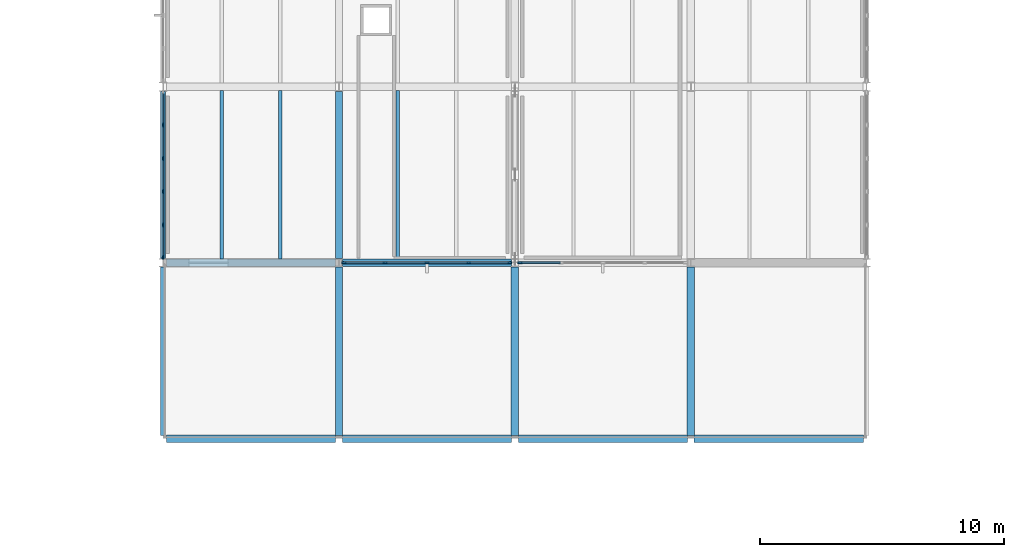
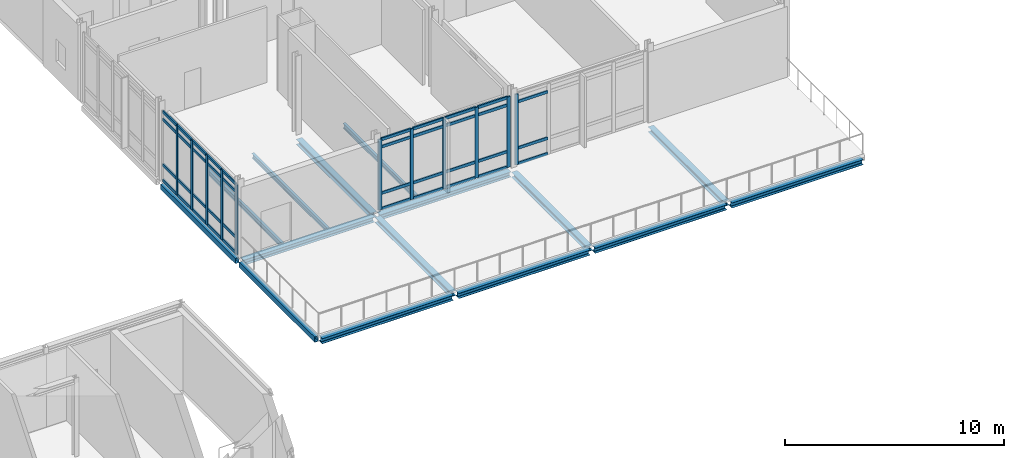
# One storey, part 19 of 53: 50 members, 15 beams, 3 elements without a shape of their own.
"""IFC4 building model written with IfcOpenShell, lengths in metres."""

from ifc_helpers import new_model, si_unit, direction, frame, origin, origin_2d, place, context, subcontext, project, spatial, rectangle, hollow_rectangle, i_section, extrude, material, layer, layer_set, material_profile, profile_set, type_object, element, aggregate, save


model = new_model("IFC4")

# Units and contexts
model_context = context("Model", 3, precision=1e-05, world=origin(), true_north=direction((0.0, 1.0)))
body_context = subcontext(model_context, "Body", "Model", "MODEL_VIEW")
ifc_project = project(units=[si_unit("LENGTHUNIT", "METRE"), si_unit("AREAUNIT", "SQUARE_METRE"), si_unit("VOLUMEUNIT", "CUBIC_METRE"), si_unit("PLANEANGLEUNIT", "RADIAN"), si_unit("MASSUNIT", "GRAM", prefix="KILO")], contexts=[model_context])

# Site, building, storey
site_placement = place(None, origin())
site = spatial("IfcSite", under=ifc_project, at=site_placement, CompositionType="ELEMENT")
building_placement = place(site_placement, origin())
building = spatial("IfcBuilding", under=site, at=building_placement, Name="Zarrinpeak Specialist Clinic", CompositionType="ELEMENT")
storey_placement = place(building_placement, frame((0.0, 0.0, 14.0)))
storey = spatial("IfcBuildingStorey", under=building, at=storey_placement, Name="L03", CompositionType="ELEMENT", Elevation=14.0)

# Beams
ifc_material_1 = material(Name="Steel S355", Category="steel")
ifc_material_profile_1 = material_profile(ifc_material_1, i_section(OverallWidth=0.300048828125, OverallDepth=0.2900390625, WebThickness=0.008544921875, FlangeThickness=0.013916015625, FilletRadius=0.027099609375, at=origin_2d()), Name="HEA 300")
ifc_profile_set_1 = profile_set([ifc_material_profile_1], Name="Steel S355")
beam_type_1 = type_object("IfcBeamType", Name="BM-HEA300", PredefinedType="BEAM", material=ifc_profile_set_1)
for number, where, z_axis, x_axis, name in (
    (1, (36.137939453125, 82.0, -0.340087890625), (1.0, 0.0, 0.0), (0.0, 1.0, 0.0), "L03 Primary Floor Girder BM-L03-X1571"),
    (2, (43.337890625, 82.0, -0.340087890625), (1.0, 0.0, 0.0), (0.0, 1.0, 0.0), "L03 Primary Floor Girder BM-L03-X1572"),
):
    element("IfcBeam", number, at=place(storey_placement, frame(where, z_axis=z_axis, x_axis=x_axis)), inside=storey, type_object=beam_type_1, Name=name, PredefinedType="BEAM", context=body_context, shape_type="SweptSolid", body=[
        extrude(i_section(OverallWidth=0.300048828125, OverallDepth=0.2900390625, WebThickness=0.008544921875, FlangeThickness=0.013916015625, FilletRadius=0.027099609375, at=origin_2d()), origin(), (0.0, 0.0, 1.0), 6.924072265625),
    ])
beam_1_placement = place(storey_placement, frame((50.5380859375, 82.0, -0.340087890625), z_axis=(1.0, 0.0, 0.0), x_axis=(0.0, 1.0, 0.0)))
element("IfcBeam", 3, at=beam_1_placement, inside=storey, type_object=beam_type_1, Name="L03 Primary Floor Girder BM-L03-X1573", PredefinedType="BEAM", context=body_context, shape_type="SweptSolid", body=[
    extrude(i_section(OverallWidth=0.300048828125, OverallDepth=0.2900390625, WebThickness=0.008544921875, FlangeThickness=0.013916015625, FilletRadius=0.027099609375, at=origin_2d()), origin(), (0.0, 0.0, 1.0), 6.923828125),
])
beam_2_placement = place(storey_placement, frame((57.738037109375, 82.0, -0.340087890625), z_axis=(1.0, 0.0, 0.0), x_axis=(0.0, 1.0, 0.0)))
element("IfcBeam", 4, at=beam_2_placement, inside=storey, type_object=beam_type_1, Name="L03 Primary Floor Girder BM-L03-X1574", PredefinedType="BEAM", context=body_context, shape_type="SweptSolid", body=[
    extrude(i_section(OverallWidth=0.300048828125, OverallDepth=0.2900390625, WebThickness=0.008544921875, FlangeThickness=0.013916015625, FilletRadius=0.027099609375, at=origin_2d()), origin(), (0.0, 0.0, 1.0), 6.924072265625),
])
for number, where, z_axis, x_axis, name in (
    (5, (36.14794921875, 89.199951171875, -0.344970703125), (1.0, 0.0, 0.0), (0.0, 1.0, 0.0), "L03 Primary Floor Girder BM-L03-X1575"),
    (6, (43.347900390625, 89.199951171875, -0.344970703125), (1.0, 0.0, 0.0), (0.0, 1.0, 0.0), "L03 Primary Floor Girder BM-L03-X1576"),
):
    element("IfcBeam", number, at=place(storey_placement, frame(where, z_axis=z_axis, x_axis=x_axis)), inside=storey, type_object=beam_type_1, Name=name, PredefinedType="BEAM", context=body_context, shape_type="SweptSolid", body=[
        extrude(i_section(OverallWidth=0.300048828125, OverallDepth=0.2900390625, WebThickness=0.008544921875, FlangeThickness=0.013916015625, FilletRadius=0.027099609375, at=origin_2d()), origin(), (0.0, 0.0, 1.0), 6.904052734375),
    ])
beam_3_placement = place(storey_placement, frame((43.199951171875, 82.137939453125, -0.340087890625), z_axis=(0.0, 1.0, 0.0), x_axis=(-1.0, 0.0, 0.0)))
element("IfcBeam", 7, at=beam_3_placement, inside=storey, type_object=beam_type_1, Name="L03 Primary Beam BM-L03-Y1655", PredefinedType="BEAM", context=body_context, shape_type="SweptSolid", body=[
    extrude(i_section(OverallWidth=0.300048828125, OverallDepth=0.2900390625, WebThickness=0.008544921875, FlangeThickness=0.013916015625, FilletRadius=0.027099609375, at=origin_2d()), origin(), (0.0, 0.0, 1.0), 6.884033203125),
])
beam_4_placement = place(storey_placement, frame((43.199951171875, 89.3779296875, -0.344970703125), z_axis=(0.0, 1.0, 0.0), x_axis=(-1.0, 0.0, 0.0)))
element("IfcBeam", 8, at=beam_4_placement, inside=storey, type_object=beam_type_1, Name="L03 Primary Beam BM-L03-Y1656", PredefinedType="BEAM", context=body_context, shape_type="SweptSolid", body=[
    extrude(i_section(OverallWidth=0.300048828125, OverallDepth=0.2900390625, WebThickness=0.008544921875, FlangeThickness=0.013916015625, FilletRadius=0.027099609375, at=origin_2d()), origin(), (0.0, 0.0, 1.0), 6.823974609375),
])
for number, where, z_axis, x_axis, name in (
    (9, (50.39990234375, 82.137939453125, -0.340087890625), (0.0, 1.0, 0.0), (-1.0, 0.0, 0.0), "L03 Primary Beam BM-L03-Y1664"),
    (10, (57.60009765625, 82.137939453125, -0.340087890625), (0.0, 1.0, 0.0), (-1.0, 0.0, 0.0), "L03 Primary Beam BM-L03-Y1671"),
):
    element("IfcBeam", number, at=place(storey_placement, frame(where, z_axis=z_axis, x_axis=x_axis)), inside=storey, type_object=beam_type_1, Name=name, PredefinedType="BEAM", context=body_context, shape_type="SweptSolid", body=[
        extrude(i_section(OverallWidth=0.300048828125, OverallDepth=0.2900390625, WebThickness=0.008544921875, FlangeThickness=0.013916015625, FilletRadius=0.027099609375, at=origin_2d()), origin(), (0.0, 0.0, 1.0), 6.884033203125),
    ])
ifc_material_profile_2 = material_profile(ifc_material_1, i_section(OverallWidth=0.135009765625, OverallDepth=0.27001953125, WebThickness=0.006591796875, FlangeThickness=0.01025390625, FilletRadius=0.014892578125, at=origin_2d()), Name="IPE 270")
ifc_profile_set_2 = profile_set([ifc_material_profile_2], Name="Steel S355")
beam_type_2 = type_object("IfcBeamType", Name="BM-JST270", PredefinedType="JOIST", material=ifc_profile_set_2)
for number, where, z_axis, x_axis, name in (
    (11, (38.39990234375, 89.347900390625, -0.3349609375), (0.0, 1.0, 0.0), (-1.0, 0.0, 0.0), "L03 Composite Floor Joist JST-L03-1784"),
    (12, (40.800048828125, 89.347900390625, -0.3349609375), (0.0, 1.0, 0.0), (-1.0, 0.0, 0.0), "L03 Composite Floor Joist JST-L03-1785"),
    (13, (45.60009765625, 89.347900390625, -0.3349609375), (0.0, 1.0, 0.0), (-1.0, 0.0, 0.0), "L03 Composite Floor Joist JST-L03-1788"),
):
    element("IfcBeam", number, at=place(storey_placement, frame(where, z_axis=z_axis, x_axis=x_axis)), inside=storey, type_object=beam_type_2, Name=name, PredefinedType="JOIST", context=body_context, shape_type="SweptSolid", body=[
        extrude(i_section(OverallWidth=0.135009765625, OverallDepth=0.27001953125, WebThickness=0.006591796875, FlangeThickness=0.01025390625, FilletRadius=0.014892578125, at=origin_2d()), origin(), (0.0, 0.0, 1.0), 6.904052734375),
    ])
ifc_material_profile_3 = material_profile(ifc_material_1, hollow_rectangle(XDim=0.199951171875, YDim=0.300048828125, WallThickness=0.012451171875, at=origin_2d()), Name="RHS 300x200x12.5")
ifc_profile_set_3 = profile_set([ifc_material_profile_3], Name="Steel S355")
beam_type_3 = type_object("IfcBeamType", Name="BM-SP300", PredefinedType="SPANDREL", material=ifc_profile_set_3)
beam_5_placement = place(storey_placement, frame((36.0, 82.137939453125, -0.344970703125), z_axis=(0.0, 1.0, 0.0), x_axis=(-1.0, 0.0, 0.0)))
element("IfcBeam", 14, at=beam_5_placement, inside=storey, type_object=beam_type_3, Name="L03 Perimeter Spandrel Beam BM-L03-Y1649", PredefinedType="SPANDREL", context=body_context, shape_type="SweptSolid", body=[
    extrude(hollow_rectangle(XDim=0.199951171875, YDim=0.300048828125, WallThickness=0.012451171875, at=origin_2d()), origin(), (0.0, 0.0, 1.0), 6.884033203125),
])
beam_6_placement = place(storey_placement, frame((36.0, 89.3779296875, -0.35009765625), z_axis=(0.0, 1.0, 0.0), x_axis=(-1.0, 0.0, 0.0)))
element("IfcBeam", 15, at=beam_6_placement, inside=storey, type_object=beam_type_3, Name="L03 Perimeter Spandrel Beam BM-L03-Y1650", PredefinedType="SPANDREL", context=body_context, shape_type="SweptSolid", body=[
    extrude(hollow_rectangle(XDim=0.199951171875, YDim=0.300048828125, WallThickness=0.012451171875, at=origin_2d()), origin(), (0.0, 0.0, 1.0), 6.823974609375),
])

# Curtain wall, members
ifc_material_2 = material(Name="Anodised Aluminium Alloy 6063-T6", Category="aluminium")
ifc_layer_1 = layer(ifc_material_2, 0.179931640625)
ifc_layer_set_1 = layer_set([ifc_layer_1], Name="Anodised Aluminium Alloy 6063-T6")
curtain_wall_type_1 = type_object("IfcCurtainWallType", Name="CW-COURT", PredefinedType="NOTDEFINED", material=ifc_layer_set_1)
curtain_wall_1_placement = place(storey_placement, origin())
curtain_wall_1 = element("IfcCurtainWall", 16, at=curtain_wall_1_placement, inside=storey, type_object=curtain_wall_type_1, Name="L03 V6 Unitised Curtain Wall CW-L03-V6-147", PredefinedType="NOTDEFINED")
ifc_material_profile_4 = material_profile(ifc_material_2, rectangle(XDim=0.074951171875, YDim=0.179931640625, at=origin_2d()), Name="ALU 75x180")
ifc_profile_set_4 = profile_set([ifc_material_profile_4], Name="Anodised Aluminium Alloy 6063-T6")
member_type_1 = type_object("IfcMemberType", Name="CWM-75", PredefinedType="MULLION", material=ifc_profile_set_4)
member_1_placement = place(storey_placement, frame((43.41259765625, 89.199951171875, 0.0), z_axis=(0.0, 0.0, 1.0), x_axis=(0.0, 1.0, 0.0)))
member_1 = element("IfcMember", 17, at=member_1_placement, type_object=member_type_1, Name="CW-01 mullion 1", PredefinedType="MULLION", context=body_context, shape_type="SweptSolid", body=[
    extrude(rectangle(XDim=0.074951171875, YDim=0.179931640625, at=origin_2d()), origin(), (0.0, 0.0, 1.0), 3.93505859375),
])
member_2_placement = place(storey_placement, frame((45.08740234375, 89.199951171875, 0.0), z_axis=(0.0, 0.0, 1.0), x_axis=(0.0, 1.0, 0.0)))
member_2 = element("IfcMember", 18, at=member_2_placement, type_object=member_type_1, Name="CW-01 mullion 2", PredefinedType="MULLION", context=body_context, shape_type="SweptSolid", body=[
    extrude(rectangle(XDim=0.074951171875, YDim=0.179931640625, at=origin_2d()), origin(), (0.0, 0.0, 1.0), 3.93505859375),
])
member_3_placement = place(storey_placement, frame((46.800048828125, 89.199951171875, 0.0), z_axis=(0.0, 0.0, 1.0), x_axis=(0.0, 1.0, 0.0)))
member_3 = element("IfcMember", 19, at=member_3_placement, type_object=member_type_1, Name="CW-01 mullion 3", PredefinedType="MULLION", context=body_context, shape_type="SweptSolid", body=[
    extrude(rectangle(XDim=0.074951171875, YDim=0.179931640625, at=origin_2d()), origin(), (0.0, 0.0, 1.0), 3.93505859375),
])
member_4_placement = place(storey_placement, frame((48.512451171875, 89.199951171875, 0.0), z_axis=(0.0, 0.0, 1.0), x_axis=(0.0, 1.0, 0.0)))
member_4 = element("IfcMember", 20, at=member_4_placement, type_object=member_type_1, Name="CW-01 mullion 4", PredefinedType="MULLION", context=body_context, shape_type="SweptSolid", body=[
    extrude(rectangle(XDim=0.074951171875, YDim=0.179931640625, at=origin_2d()), origin(), (0.0, 0.0, 1.0), 3.93505859375),
])
member_5_placement = place(storey_placement, frame((50.1875, 89.199951171875, 0.0), z_axis=(0.0, 0.0, 1.0), x_axis=(0.0, 1.0, 0.0)))
member_5 = element("IfcMember", 21, at=member_5_placement, type_object=member_type_1, Name="CW-01 mullion 5", PredefinedType="MULLION", context=body_context, shape_type="SweptSolid", body=[
    extrude(rectangle(XDim=0.074951171875, YDim=0.179931640625, at=origin_2d()), origin(), (0.0, 0.0, 1.0), 3.93505859375),
])

# Curtain wall, member
curtain_wall_2_placement = place(storey_placement, origin())
curtain_wall_2 = element("IfcCurtainWall", 22, at=curtain_wall_2_placement, inside=storey, type_object=curtain_wall_type_1, Name="L03 V6 Unitised Curtain Wall CW-L03-V6-148", PredefinedType="NOTDEFINED")
member_6_placement = place(storey_placement, frame((50.612548828125, 89.199951171875, 0.0), z_axis=(0.0, 0.0, 1.0), x_axis=(0.0, 1.0, 0.0)))
member_6 = element("IfcMember", 23, at=member_6_placement, type_object=member_type_1, Name="CW-01 mullion 1", PredefinedType="MULLION", context=body_context, shape_type="SweptSolid", body=[
    extrude(rectangle(XDim=0.074951171875, YDim=0.179931640625, at=origin_2d()), origin(), (0.0, 0.0, 1.0), 3.93505859375),
])

# Curtain wall, members
ifc_layer_2 = layer(ifc_material_2, 0.1650390625)
ifc_layer_set_2 = layer_set([ifc_layer_2], Name="Anodised Aluminium Alloy 6063-T6")
curtain_wall_type_2 = type_object("IfcCurtainWallType", Name="CW-CLINIC", PredefinedType="NOTDEFINED", material=ifc_layer_set_2)
curtain_wall_3_placement = place(storey_placement, origin())
curtain_wall_3 = element("IfcCurtainWall", 24, at=curtain_wall_3_placement, inside=storey, type_object=curtain_wall_type_2, Name="L03 V6 Unitised Curtain Wall CW-L03-V6-149", PredefinedType="NOTDEFINED")
member_7_placement = place(storey_placement, frame((36.0, 94.8330078125, 0.0), z_axis=(0.0, 0.0, 1.0), x_axis=(1.0, 0.0, 0.0)))
member_7 = element("IfcMember", 25, at=member_7_placement, type_object=member_type_1, Name="CW-03 mullion 2", PredefinedType="MULLION", context=body_context, shape_type="SweptSolid", body=[
    extrude(rectangle(XDim=0.074951171875, YDim=0.179931640625, at=origin_2d()), origin(), (0.0, 0.0, 1.0), 3.885009765625),
])
member_8_placement = place(storey_placement, frame((36.0, 93.470947265625, 0.0), z_axis=(0.0, 0.0, 1.0), x_axis=(1.0, 0.0, 0.0)))
member_8 = element("IfcMember", 26, at=member_8_placement, type_object=member_type_1, Name="CW-03 mullion 3", PredefinedType="MULLION", context=body_context, shape_type="SweptSolid", body=[
    extrude(rectangle(XDim=0.074951171875, YDim=0.179931640625, at=origin_2d()), origin(), (0.0, 0.0, 1.0), 3.885009765625),
])
member_9_placement = place(storey_placement, frame((36.0, 92.10888671875, 0.0), z_axis=(0.0, 0.0, 1.0), x_axis=(1.0, 0.0, 0.0)))
member_9 = element("IfcMember", 27, at=member_9_placement, type_object=member_type_1, Name="CW-03 mullion 4", PredefinedType="MULLION", context=body_context, shape_type="SweptSolid", body=[
    extrude(rectangle(XDim=0.074951171875, YDim=0.179931640625, at=origin_2d()), origin(), (0.0, 0.0, 1.0), 3.885009765625),
])
member_10_placement = place(storey_placement, frame((36.0, 90.7470703125, 0.0), z_axis=(0.0, 0.0, 1.0), x_axis=(1.0, 0.0, 0.0)))
member_10 = element("IfcMember", 28, at=member_10_placement, type_object=member_type_1, Name="CW-03 mullion 5", PredefinedType="MULLION", context=body_context, shape_type="SweptSolid", body=[
    extrude(rectangle(XDim=0.074951171875, YDim=0.179931640625, at=origin_2d()), origin(), (0.0, 0.0, 1.0), 3.885009765625),
])
member_11_placement = place(storey_placement, frame((36.0, 89.422607421875, 0.0), z_axis=(0.0, 0.0, 1.0), x_axis=(1.0, 0.0, 0.0)))
member_11 = element("IfcMember", 29, at=member_11_placement, type_object=member_type_1, Name="CW-03 mullion 6", PredefinedType="MULLION", context=body_context, shape_type="SweptSolid", body=[
    extrude(rectangle(XDim=0.074951171875, YDim=0.179931640625, at=origin_2d()), origin(), (0.0, 0.0, 1.0), 3.885009765625),
])

# Member
ifc_material_profile_5 = material_profile(ifc_material_2, rectangle(XDim=0.074951171875, YDim=0.159912109375, at=origin_2d()), Name="ALU 75x160")
ifc_profile_set_5 = profile_set([ifc_material_profile_5], Name="Anodised Aluminium Alloy 6063-T6")
member_type_2 = type_object("IfcMemberType", Name="CWT-75", PredefinedType="USERDEFINED", material=ifc_profile_set_5)
member_12_placement = place(storey_placement, frame((43.449951171875, 89.199951171875, 0.03759765625), z_axis=(1.0, 0.0, 0.0), x_axis=(0.0, 1.0, 0.0)))
member_12 = element("IfcMember", 30, at=member_12_placement, type_object=member_type_2, Name="CW-01 transom 1.1", ObjectType="TRANSOM", PredefinedType="USERDEFINED", context=body_context, shape_type="SweptSolid", body=[
    extrude(rectangle(XDim=0.074951171875, YDim=0.159912109375, at=origin_2d()), origin(), (0.0, 0.0, 1.0), 1.60009765625),
])

member_13_placement = place(storey_placement, frame((43.449951171875, 89.199951171875, 0.89990234375), z_axis=(1.0, 0.0, 0.0), x_axis=(0.0, 1.0, 0.0)))
member_13 = element("IfcMember", 31, at=member_13_placement, type_object=member_type_2, Name="CW-01 transom 1.2", ObjectType="TRANSOM", PredefinedType="USERDEFINED", context=body_context, shape_type="SweptSolid", body=[
    extrude(rectangle(XDim=0.074951171875, YDim=0.159912109375, at=origin_2d()), origin(), (0.0, 0.0, 1.0), 1.60009765625),
])

member_14_placement = place(storey_placement, frame((43.449951171875, 89.199951171875, 3.485107421875), z_axis=(1.0, 0.0, 0.0), x_axis=(0.0, 1.0, 0.0)))
member_14 = element("IfcMember", 32, at=member_14_placement, type_object=member_type_2, Name="CW-01 transom 1.3", ObjectType="TRANSOM", PredefinedType="USERDEFINED", context=body_context, shape_type="SweptSolid", body=[
    extrude(rectangle(XDim=0.074951171875, YDim=0.159912109375, at=origin_2d()), origin(), (0.0, 0.0, 1.0), 1.60009765625),
])

member_15_placement = place(storey_placement, frame((43.449951171875, 89.199951171875, 3.8974609375), z_axis=(1.0, 0.0, 0.0), x_axis=(0.0, 1.0, 0.0)))
member_15 = element("IfcMember", 33, at=member_15_placement, type_object=member_type_2, Name="CW-01 transom 1.4", ObjectType="TRANSOM", PredefinedType="USERDEFINED", context=body_context, shape_type="SweptSolid", body=[
    extrude(rectangle(XDim=0.074951171875, YDim=0.159912109375, at=origin_2d()), origin(), (0.0, 0.0, 1.0), 1.60009765625),
])

member_16_placement = place(storey_placement, frame((45.125, 89.199951171875, 0.03759765625), z_axis=(1.0, 0.0, 0.0), x_axis=(0.0, 1.0, 0.0)))
member_16 = element("IfcMember", 34, at=member_16_placement, type_object=member_type_2, Name="CW-01 transom 2.1", ObjectType="TRANSOM", PredefinedType="USERDEFINED", context=body_context, shape_type="SweptSolid", body=[
    extrude(rectangle(XDim=0.074951171875, YDim=0.159912109375, at=origin_2d()), origin(), (0.0, 0.0, 1.0), 1.637451171875),
])

member_17_placement = place(storey_placement, frame((45.125, 89.199951171875, 0.89990234375), z_axis=(1.0, 0.0, 0.0), x_axis=(0.0, 1.0, 0.0)))
member_17 = element("IfcMember", 35, at=member_17_placement, type_object=member_type_2, Name="CW-01 transom 2.2", ObjectType="TRANSOM", PredefinedType="USERDEFINED", context=body_context, shape_type="SweptSolid", body=[
    extrude(rectangle(XDim=0.074951171875, YDim=0.159912109375, at=origin_2d()), origin(), (0.0, 0.0, 1.0), 1.637451171875),
])

member_18_placement = place(storey_placement, frame((45.125, 89.199951171875, 3.485107421875), z_axis=(1.0, 0.0, 0.0), x_axis=(0.0, 1.0, 0.0)))
member_18 = element("IfcMember", 36, at=member_18_placement, type_object=member_type_2, Name="CW-01 transom 2.3", ObjectType="TRANSOM", PredefinedType="USERDEFINED", context=body_context, shape_type="SweptSolid", body=[
    extrude(rectangle(XDim=0.074951171875, YDim=0.159912109375, at=origin_2d()), origin(), (0.0, 0.0, 1.0), 1.637451171875),
])

member_19_placement = place(storey_placement, frame((45.125, 89.199951171875, 3.8974609375), z_axis=(1.0, 0.0, 0.0), x_axis=(0.0, 1.0, 0.0)))
member_19 = element("IfcMember", 37, at=member_19_placement, type_object=member_type_2, Name="CW-01 transom 2.4", ObjectType="TRANSOM", PredefinedType="USERDEFINED", context=body_context, shape_type="SweptSolid", body=[
    extrude(rectangle(XDim=0.074951171875, YDim=0.159912109375, at=origin_2d()), origin(), (0.0, 0.0, 1.0), 1.637451171875),
])

member_20_placement = place(storey_placement, frame((46.83740234375, 89.199951171875, 0.03759765625), z_axis=(1.0, 0.0, 0.0), x_axis=(0.0, 1.0, 0.0)))
member_20 = element("IfcMember", 38, at=member_20_placement, type_object=member_type_2, Name="CW-01 transom 3.1", ObjectType="TRANSOM", PredefinedType="USERDEFINED", context=body_context, shape_type="SweptSolid", body=[
    extrude(rectangle(XDim=0.074951171875, YDim=0.159912109375, at=origin_2d()), origin(), (0.0, 0.0, 1.0), 1.6376953125),
])

member_21_placement = place(storey_placement, frame((46.83740234375, 89.199951171875, 0.89990234375), z_axis=(1.0, 0.0, 0.0), x_axis=(0.0, 1.0, 0.0)))
member_21 = element("IfcMember", 39, at=member_21_placement, type_object=member_type_2, Name="CW-01 transom 3.2", ObjectType="TRANSOM", PredefinedType="USERDEFINED", context=body_context, shape_type="SweptSolid", body=[
    extrude(rectangle(XDim=0.074951171875, YDim=0.159912109375, at=origin_2d()), origin(), (0.0, 0.0, 1.0), 1.6376953125),
])

member_22_placement = place(storey_placement, frame((46.83740234375, 89.199951171875, 3.485107421875), z_axis=(1.0, 0.0, 0.0), x_axis=(0.0, 1.0, 0.0)))
member_22 = element("IfcMember", 40, at=member_22_placement, type_object=member_type_2, Name="CW-01 transom 3.3", ObjectType="TRANSOM", PredefinedType="USERDEFINED", context=body_context, shape_type="SweptSolid", body=[
    extrude(rectangle(XDim=0.074951171875, YDim=0.159912109375, at=origin_2d()), origin(), (0.0, 0.0, 1.0), 1.6376953125),
])

member_23_placement = place(storey_placement, frame((46.83740234375, 89.199951171875, 3.8974609375), z_axis=(1.0, 0.0, 0.0), x_axis=(0.0, 1.0, 0.0)))
member_23 = element("IfcMember", 41, at=member_23_placement, type_object=member_type_2, Name="CW-01 transom 3.4", ObjectType="TRANSOM", PredefinedType="USERDEFINED", context=body_context, shape_type="SweptSolid", body=[
    extrude(rectangle(XDim=0.074951171875, YDim=0.159912109375, at=origin_2d()), origin(), (0.0, 0.0, 1.0), 1.6376953125),
])

member_24_placement = place(storey_placement, frame((48.550048828125, 89.199951171875, 0.03759765625), z_axis=(1.0, 0.0, 0.0), x_axis=(0.0, 1.0, 0.0)))
member_24 = element("IfcMember", 42, at=member_24_placement, type_object=member_type_2, Name="CW-01 transom 4.1", ObjectType="TRANSOM", PredefinedType="USERDEFINED", context=body_context, shape_type="SweptSolid", body=[
    extrude(rectangle(XDim=0.074951171875, YDim=0.159912109375, at=origin_2d()), origin(), (0.0, 0.0, 1.0), 1.599853515625),
])

member_25_placement = place(storey_placement, frame((48.550048828125, 89.199951171875, 0.89990234375), z_axis=(1.0, 0.0, 0.0), x_axis=(0.0, 1.0, 0.0)))
member_25 = element("IfcMember", 43, at=member_25_placement, type_object=member_type_2, Name="CW-01 transom 4.2", ObjectType="TRANSOM", PredefinedType="USERDEFINED", context=body_context, shape_type="SweptSolid", body=[
    extrude(rectangle(XDim=0.074951171875, YDim=0.159912109375, at=origin_2d()), origin(), (0.0, 0.0, 1.0), 1.599853515625),
])

member_26_placement = place(storey_placement, frame((48.550048828125, 89.199951171875, 3.485107421875), z_axis=(1.0, 0.0, 0.0), x_axis=(0.0, 1.0, 0.0)))
member_26 = element("IfcMember", 44, at=member_26_placement, type_object=member_type_2, Name="CW-01 transom 4.3", ObjectType="TRANSOM", PredefinedType="USERDEFINED", context=body_context, shape_type="SweptSolid", body=[
    extrude(rectangle(XDim=0.074951171875, YDim=0.159912109375, at=origin_2d()), origin(), (0.0, 0.0, 1.0), 1.599853515625),
])

member_27_placement = place(storey_placement, frame((48.550048828125, 89.199951171875, 3.8974609375), z_axis=(1.0, 0.0, 0.0), x_axis=(0.0, 1.0, 0.0)))
member_27 = element("IfcMember", 45, at=member_27_placement, type_object=member_type_2, Name="CW-01 transom 4.4", ObjectType="TRANSOM", PredefinedType="USERDEFINED", context=body_context, shape_type="SweptSolid", body=[
    extrude(rectangle(XDim=0.074951171875, YDim=0.159912109375, at=origin_2d()), origin(), (0.0, 0.0, 1.0), 1.599853515625),
])

aggregate(curtain_wall_1, [member_1, member_2, member_3, member_4, member_5, member_12, member_13, member_14, member_15, member_16, member_17, member_18, member_19, member_20, member_21, member_22, member_23, member_24, member_25, member_26, member_27])

member_28_placement = place(storey_placement, frame((50.64990234375, 89.199951171875, 0.03759765625), z_axis=(1.0, 0.0, 0.0), x_axis=(0.0, 1.0, 0.0)))
member_28 = element("IfcMember", 46, at=member_28_placement, type_object=member_type_2, Name="CW-01 transom 1.1", ObjectType="TRANSOM", PredefinedType="USERDEFINED", context=body_context, shape_type="SweptSolid", body=[
    extrude(rectangle(XDim=0.074951171875, YDim=0.159912109375, at=origin_2d()), origin(), (0.0, 0.0, 1.0), 1.60009765625),
])

member_29_placement = place(storey_placement, frame((50.64990234375, 89.199951171875, 0.89990234375), z_axis=(1.0, 0.0, 0.0), x_axis=(0.0, 1.0, 0.0)))
member_29 = element("IfcMember", 47, at=member_29_placement, type_object=member_type_2, Name="CW-01 transom 1.2", ObjectType="TRANSOM", PredefinedType="USERDEFINED", context=body_context, shape_type="SweptSolid", body=[
    extrude(rectangle(XDim=0.074951171875, YDim=0.159912109375, at=origin_2d()), origin(), (0.0, 0.0, 1.0), 1.60009765625),
])

member_30_placement = place(storey_placement, frame((50.64990234375, 89.199951171875, 3.485107421875), z_axis=(1.0, 0.0, 0.0), x_axis=(0.0, 1.0, 0.0)))
member_30 = element("IfcMember", 48, at=member_30_placement, type_object=member_type_2, Name="CW-01 transom 1.3", ObjectType="TRANSOM", PredefinedType="USERDEFINED", context=body_context, shape_type="SweptSolid", body=[
    extrude(rectangle(XDim=0.074951171875, YDim=0.159912109375, at=origin_2d()), origin(), (0.0, 0.0, 1.0), 1.60009765625),
])

aggregate(curtain_wall_2, [member_6, member_28, member_29, member_30])

member_31_placement = place(storey_placement, frame((36.0, 96.1201171875, 0.03759765625), z_axis=(0.0, -1.0, 0.0), x_axis=(1.0, 0.0, 0.0)))
member_31 = element("IfcMember", 49, at=member_31_placement, type_object=member_type_2, Name="CW-03 transom 1.1", ObjectType="TRANSOM", PredefinedType="USERDEFINED", context=body_context, shape_type="SweptSolid", body=[
    extrude(rectangle(XDim=0.074951171875, YDim=0.159912109375, at=origin_2d()), origin(), (0.0, 0.0, 1.0), 1.24951171875),
])

member_32_placement = place(storey_placement, frame((36.0, 96.1201171875, 0.89990234375), z_axis=(0.0, -1.0, 0.0), x_axis=(1.0, 0.0, 0.0)))
member_32 = element("IfcMember", 50, at=member_32_placement, type_object=member_type_2, Name="CW-03 transom 1.2", ObjectType="TRANSOM", PredefinedType="USERDEFINED", context=body_context, shape_type="SweptSolid", body=[
    extrude(rectangle(XDim=0.074951171875, YDim=0.159912109375, at=origin_2d()), origin(), (0.0, 0.0, 1.0), 1.24951171875),
])

member_33_placement = place(storey_placement, frame((36.0, 96.1201171875, 3.43505859375), z_axis=(0.0, -1.0, 0.0), x_axis=(1.0, 0.0, 0.0)))
member_33 = element("IfcMember", 51, at=member_33_placement, type_object=member_type_2, Name="CW-03 transom 1.3", ObjectType="TRANSOM", PredefinedType="USERDEFINED", context=body_context, shape_type="SweptSolid", body=[
    extrude(rectangle(XDim=0.074951171875, YDim=0.159912109375, at=origin_2d()), origin(), (0.0, 0.0, 1.0), 1.24951171875),
])

member_34_placement = place(storey_placement, frame((36.0, 96.1201171875, 3.847412109375), z_axis=(0.0, -1.0, 0.0), x_axis=(1.0, 0.0, 0.0)))
member_34 = element("IfcMember", 52, at=member_34_placement, type_object=member_type_2, Name="CW-03 transom 1.4", ObjectType="TRANSOM", PredefinedType="USERDEFINED", context=body_context, shape_type="SweptSolid", body=[
    extrude(rectangle(XDim=0.074951171875, YDim=0.159912109375, at=origin_2d()), origin(), (0.0, 0.0, 1.0), 1.24951171875),
])

member_35_placement = place(storey_placement, frame((36.0, 94.79541015625, 0.03759765625), z_axis=(0.0, -1.0, 0.0), x_axis=(1.0, 0.0, 0.0)))
member_35 = element("IfcMember", 53, at=member_35_placement, type_object=member_type_2, Name="CW-03 transom 2.1", ObjectType="TRANSOM", PredefinedType="USERDEFINED", context=body_context, shape_type="SweptSolid", body=[
    extrude(rectangle(XDim=0.074951171875, YDim=0.159912109375, at=origin_2d()), origin(), (0.0, 0.0, 1.0), 1.286865234375),
])

member_36_placement = place(storey_placement, frame((36.0, 94.79541015625, 0.89990234375), z_axis=(0.0, -1.0, 0.0), x_axis=(1.0, 0.0, 0.0)))
member_36 = element("IfcMember", 54, at=member_36_placement, type_object=member_type_2, Name="CW-03 transom 2.2", ObjectType="TRANSOM", PredefinedType="USERDEFINED", context=body_context, shape_type="SweptSolid", body=[
    extrude(rectangle(XDim=0.074951171875, YDim=0.159912109375, at=origin_2d()), origin(), (0.0, 0.0, 1.0), 1.286865234375),
])

member_37_placement = place(storey_placement, frame((36.0, 94.79541015625, 3.43505859375), z_axis=(0.0, -1.0, 0.0), x_axis=(1.0, 0.0, 0.0)))
member_37 = element("IfcMember", 55, at=member_37_placement, type_object=member_type_2, Name="CW-03 transom 2.3", ObjectType="TRANSOM", PredefinedType="USERDEFINED", context=body_context, shape_type="SweptSolid", body=[
    extrude(rectangle(XDim=0.074951171875, YDim=0.159912109375, at=origin_2d()), origin(), (0.0, 0.0, 1.0), 1.286865234375),
])

member_38_placement = place(storey_placement, frame((36.0, 94.79541015625, 3.847412109375), z_axis=(0.0, -1.0, 0.0), x_axis=(1.0, 0.0, 0.0)))
member_38 = element("IfcMember", 56, at=member_38_placement, type_object=member_type_2, Name="CW-03 transom 2.4", ObjectType="TRANSOM", PredefinedType="USERDEFINED", context=body_context, shape_type="SweptSolid", body=[
    extrude(rectangle(XDim=0.074951171875, YDim=0.159912109375, at=origin_2d()), origin(), (0.0, 0.0, 1.0), 1.286865234375),
])

member_39_placement = place(storey_placement, frame((36.0, 93.43359375, 0.03759765625), z_axis=(0.0, -1.0, 0.0), x_axis=(1.0, 0.0, 0.0)))
member_39 = element("IfcMember", 57, at=member_39_placement, type_object=member_type_2, Name="CW-03 transom 3.1", ObjectType="TRANSOM", PredefinedType="USERDEFINED", context=body_context, shape_type="SweptSolid", body=[
    extrude(rectangle(XDim=0.074951171875, YDim=0.159912109375, at=origin_2d()), origin(), (0.0, 0.0, 1.0), 1.287109375),
])

member_40_placement = place(storey_placement, frame((36.0, 93.43359375, 0.89990234375), z_axis=(0.0, -1.0, 0.0), x_axis=(1.0, 0.0, 0.0)))
member_40 = element("IfcMember", 58, at=member_40_placement, type_object=member_type_2, Name="CW-03 transom 3.2", ObjectType="TRANSOM", PredefinedType="USERDEFINED", context=body_context, shape_type="SweptSolid", body=[
    extrude(rectangle(XDim=0.074951171875, YDim=0.159912109375, at=origin_2d()), origin(), (0.0, 0.0, 1.0), 1.287109375),
])

member_41_placement = place(storey_placement, frame((36.0, 93.43359375, 3.43505859375), z_axis=(0.0, -1.0, 0.0), x_axis=(1.0, 0.0, 0.0)))
member_41 = element("IfcMember", 59, at=member_41_placement, type_object=member_type_2, Name="CW-03 transom 3.3", ObjectType="TRANSOM", PredefinedType="USERDEFINED", context=body_context, shape_type="SweptSolid", body=[
    extrude(rectangle(XDim=0.074951171875, YDim=0.159912109375, at=origin_2d()), origin(), (0.0, 0.0, 1.0), 1.287109375),
])

member_42_placement = place(storey_placement, frame((36.0, 93.43359375, 3.847412109375), z_axis=(0.0, -1.0, 0.0), x_axis=(1.0, 0.0, 0.0)))
member_42 = element("IfcMember", 60, at=member_42_placement, type_object=member_type_2, Name="CW-03 transom 3.4", ObjectType="TRANSOM", PredefinedType="USERDEFINED", context=body_context, shape_type="SweptSolid", body=[
    extrude(rectangle(XDim=0.074951171875, YDim=0.159912109375, at=origin_2d()), origin(), (0.0, 0.0, 1.0), 1.287109375),
])

member_43_placement = place(storey_placement, frame((36.0, 92.071533203125, 0.03759765625), z_axis=(0.0, -1.0, 0.0), x_axis=(1.0, 0.0, 0.0)))
member_43 = element("IfcMember", 61, at=member_43_placement, type_object=member_type_2, Name="CW-03 transom 4.1", ObjectType="TRANSOM", PredefinedType="USERDEFINED", context=body_context, shape_type="SweptSolid", body=[
    extrude(rectangle(XDim=0.074951171875, YDim=0.159912109375, at=origin_2d()), origin(), (0.0, 0.0, 1.0), 1.287109375),
])

member_44_placement = place(storey_placement, frame((36.0, 92.071533203125, 0.89990234375), z_axis=(0.0, -1.0, 0.0), x_axis=(1.0, 0.0, 0.0)))
member_44 = element("IfcMember", 62, at=member_44_placement, type_object=member_type_2, Name="CW-03 transom 4.2", ObjectType="TRANSOM", PredefinedType="USERDEFINED", context=body_context, shape_type="SweptSolid", body=[
    extrude(rectangle(XDim=0.074951171875, YDim=0.159912109375, at=origin_2d()), origin(), (0.0, 0.0, 1.0), 1.287109375),
])

member_45_placement = place(storey_placement, frame((36.0, 92.071533203125, 3.43505859375), z_axis=(0.0, -1.0, 0.0), x_axis=(1.0, 0.0, 0.0)))
member_45 = element("IfcMember", 63, at=member_45_placement, type_object=member_type_2, Name="CW-03 transom 4.3", ObjectType="TRANSOM", PredefinedType="USERDEFINED", context=body_context, shape_type="SweptSolid", body=[
    extrude(rectangle(XDim=0.074951171875, YDim=0.159912109375, at=origin_2d()), origin(), (0.0, 0.0, 1.0), 1.287109375),
])

member_46_placement = place(storey_placement, frame((36.0, 92.071533203125, 3.847412109375), z_axis=(0.0, -1.0, 0.0), x_axis=(1.0, 0.0, 0.0)))
member_46 = element("IfcMember", 64, at=member_46_placement, type_object=member_type_2, Name="CW-03 transom 4.4", ObjectType="TRANSOM", PredefinedType="USERDEFINED", context=body_context, shape_type="SweptSolid", body=[
    extrude(rectangle(XDim=0.074951171875, YDim=0.159912109375, at=origin_2d()), origin(), (0.0, 0.0, 1.0), 1.287109375),
])

member_47_placement = place(storey_placement, frame((36.0, 90.70947265625, 0.03759765625), z_axis=(0.0, -1.0, 0.0), x_axis=(1.0, 0.0, 0.0)))
member_47 = element("IfcMember", 65, at=member_47_placement, type_object=member_type_2, Name="CW-03 transom 5.1", ObjectType="TRANSOM", PredefinedType="USERDEFINED", context=body_context, shape_type="SweptSolid", body=[
    extrude(rectangle(XDim=0.074951171875, YDim=0.159912109375, at=origin_2d()), origin(), (0.0, 0.0, 1.0), 1.24951171875),
])

member_48_placement = place(storey_placement, frame((36.0, 90.70947265625, 0.89990234375), z_axis=(0.0, -1.0, 0.0), x_axis=(1.0, 0.0, 0.0)))
member_48 = element("IfcMember", 66, at=member_48_placement, type_object=member_type_2, Name="CW-03 transom 5.2", ObjectType="TRANSOM", PredefinedType="USERDEFINED", context=body_context, shape_type="SweptSolid", body=[
    extrude(rectangle(XDim=0.074951171875, YDim=0.159912109375, at=origin_2d()), origin(), (0.0, 0.0, 1.0), 1.24951171875),
])

member_49_placement = place(storey_placement, frame((36.0, 90.70947265625, 3.43505859375), z_axis=(0.0, -1.0, 0.0), x_axis=(1.0, 0.0, 0.0)))
member_49 = element("IfcMember", 67, at=member_49_placement, type_object=member_type_2, Name="CW-03 transom 5.3", ObjectType="TRANSOM", PredefinedType="USERDEFINED", context=body_context, shape_type="SweptSolid", body=[
    extrude(rectangle(XDim=0.074951171875, YDim=0.159912109375, at=origin_2d()), origin(), (0.0, 0.0, 1.0), 1.24951171875),
])

member_50_placement = place(storey_placement, frame((36.0, 90.70947265625, 3.847412109375), z_axis=(0.0, -1.0, 0.0), x_axis=(1.0, 0.0, 0.0)))
member_50 = element("IfcMember", 68, at=member_50_placement, type_object=member_type_2, Name="CW-03 transom 5.4", ObjectType="TRANSOM", PredefinedType="USERDEFINED", context=body_context, shape_type="SweptSolid", body=[
    extrude(rectangle(XDim=0.074951171875, YDim=0.159912109375, at=origin_2d()), origin(), (0.0, 0.0, 1.0), 1.24951171875),
])

aggregate(curtain_wall_3, [member_7, member_8, member_9, member_10, member_11, member_31, member_32, member_33, member_34, member_35, member_36, member_37, member_38, member_39, member_40, member_41, member_42, member_43, member_44, member_45, member_46, member_47, member_48, member_49, member_50])

save(model, "model.ifc")
